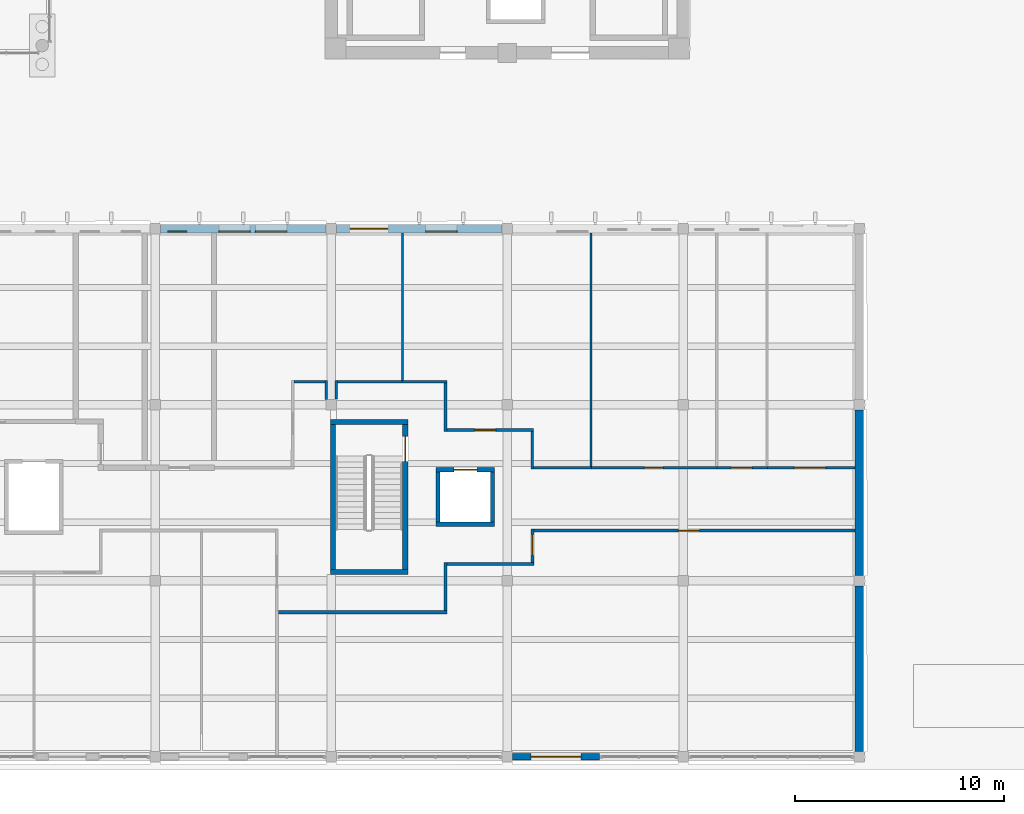
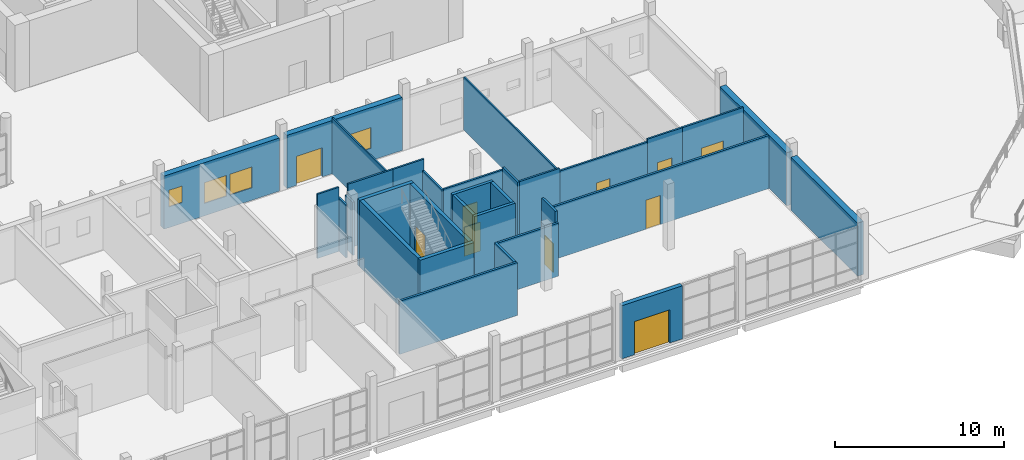
# One storey, part 55 of 110: 32 walls, 10 doors, 4 windows, 14 openings.
"""IFC4 building model written with IfcOpenShell, lengths in metres."""

from ifc_helpers import new_model, si_unit, direction, frame, frame_2d, origin, place, context, subcontext, project, spatial, rectangle, extrude, material, layer, layer_set, type_object, element, fill, save


model = new_model("IFC4")

# Units and contexts
model_context = context("Model", 3, precision=1e-05, world=origin(), true_north=direction((0.0, 1.0)))
body_context = subcontext(model_context, "Body", "Model", "MODEL_VIEW")
ifc_project = project(units=[si_unit("LENGTHUNIT", "METRE"), si_unit("AREAUNIT", "SQUARE_METRE"), si_unit("VOLUMEUNIT", "CUBIC_METRE"), si_unit("PLANEANGLEUNIT", "RADIAN"), si_unit("MASSUNIT", "GRAM", prefix="KILO")], contexts=[model_context])

# Site, building, storey
site_placement = place(None, origin())
site = spatial("IfcSite", under=ifc_project, at=site_placement, CompositionType="ELEMENT")
building_placement = place(site_placement, origin())
building = spatial("IfcBuilding", under=site, at=building_placement, Name="Larchfold Concert Hall", CompositionType="ELEMENT")
storey_placement = place(building_placement, origin())
storey = spatial("IfcBuildingStorey", under=building, at=storey_placement, Name="L00", CompositionType="ELEMENT", Elevation=0.0)

# Walls
ifc_material_1 = material(Name="Plasterboard partition on steel studs", Category="steel")
ifc_layer_1 = layer(ifc_material_1, 0.125)
ifc_layer_set_1 = layer_set([ifc_layer_1], Name="Plasterboard partition on steel studs")
wall_type_1 = type_object("IfcWallType", Name="Corridor partition 125 EI 60", PredefinedType="PARTITIONING", material=ifc_layer_set_1)
wall_1_placement = place(storey_placement, frame((37.580078125, 18.4990234375, 0.0), z_axis=(0.0, 0.0, 1.0), x_axis=(1.0, 0.0, 0.0)))
element("IfcWall", 1, at=wall_1_placement, inside=storey, type_object=wall_type_1, Name="Partition IW0139", PredefinedType="PARTITIONING", context=body_context, shape_type="SweptSolid", body=[
    extrude(rectangle(XDim=2.13134765625, YDim=0.125, at=frame_2d((1.065673828125, 0.0))), origin(), (0.0, 0.0, 1.0), 4.639892578125),
])
wall_2_placement = place(storey_placement, frame((39.64892578125, 18.4365234375, 0.0), z_axis=(0.0, 0.0, 1.0), x_axis=(0.0, -1.0, 0.0)))
element("IfcWall", 2, at=wall_2_placement, inside=storey, type_object=wall_type_1, Name="Partition IW0140", PredefinedType="PARTITIONING", context=body_context, shape_type="SweptSolid", body=[
    extrude(rectangle(XDim=2.300048828125, YDim=0.125, at=frame_2d((1.14990234375, 0.0))), origin(), (0.0, 0.0, 1.0), 3.840087890625),
])

# Wall, opening, door
wall_3_placement = place(storey_placement, frame((39.71142578125, 16.198974609375, 0.0), z_axis=(0.0, 0.0, 1.0), x_axis=(1.0, 0.0, 0.0)))
wall_3 = element("IfcWall", 3, at=wall_3_placement, inside=storey, type_object=wall_type_1, Name="Partition IW0141", PredefinedType="PARTITIONING", context=body_context, shape_type="SweptSolid", body=[
    extrude(rectangle(XDim=4.150146484375, YDim=0.125, at=frame_2d((2.0751953125, 0.0))), origin(), (0.0, 0.0, 1.0), 3.840087890625),
])
opening_1_placement = place(wall_3_placement, frame((1.3291015625, 0.0, 0.0)))
opening_1 = element("IfcOpeningElement", 4, at=opening_1_placement, cuts=wall_3, Name="Opening D-L00-144", PredefinedType="OPENING", context=body_context, shape_type="SweptSolid", body=[
    extrude(rectangle(XDim=1.0, YDim=2.10009765625, at=frame_2d((0.5, 1.050048828125))), frame((0.0, 0.072509765625, 0.0), z_axis=(0.0, -1.0, 0.0), x_axis=(1.0, 0.0, 0.0)), (0.0, 0.0, 1.0), 0.14501953125),
])
ifc_material_2 = material(Name="Timber door leaf", Category="wood")
door_type_1 = type_object("IfcDoorType", Name="Room door 1000 x 2100 FD30S", OperationType="SINGLE_SWING_LEFT", PredefinedType="DOOR", material=ifc_material_2)
door_1_placement = place(opening_1_placement, origin())
door_1 = element("IfcDoor", 5, at=door_1_placement, inside=storey, type_object=door_type_1, Name="Door D-L00-144", OperationType="SINGLE_SWING_LEFT", OverallHeight=2.10009765625, OverallWidth=1.0, PredefinedType="DOOR", context=body_context, shape_type="SweptSolid", body=[
    extrude(rectangle(XDim=1.0, YDim=2.10009765625, at=frame_2d((0.5, 1.050048828125))), frame((0.0, 0.02490234375, 0.0), z_axis=(0.0, -1.0, 0.0), x_axis=(1.0, 0.0, 0.0)), (0.0, 0.0, 1.0), 0.050048828125),
])
fill(opening_1, door_1)

# Walls
wall_4_placement = place(storey_placement, frame((43.799072265625, 16.136474609375, 0.0), z_axis=(0.0, 0.0, 1.0), x_axis=(0.000542519926, -0.999999852836, 0.0)))
element("IfcWall", 6, at=wall_4_placement, inside=storey, type_object=wall_type_1, Name="Partition IW0142", PredefinedType="PARTITIONING", context=body_context, shape_type="SweptSolid", body=[
    extrude(rectangle(XDim=1.800048828125, YDim=0.125, at=frame_2d((0.89990234375, 0.0))), origin(), (0.0, 0.0, 1.0), 4.0400390625),
])
wall_5_placement = place(storey_placement, frame((43.862548828125, 14.39892578125, 0.0), z_axis=(0.0, 0.0, 1.0), x_axis=(1.0, 0.0, 0.0)))
element("IfcWall", 7, at=wall_5_placement, inside=storey, type_object=wall_type_1, Name="Partition IW0143", PredefinedType="PARTITIONING", context=body_context, shape_type="SweptSolid", body=[
    extrude(rectangle(XDim=2.757568359375, YDim=0.125, at=frame_2d((1.37890625, 0.0))), origin(), (0.0, 0.0, 1.0), 4.0400390625),
])

# Wall, opening, door
wall_6_placement = place(storey_placement, frame((46.6201171875, 14.39892578125, 0.0), z_axis=(0.0, 0.0, 1.0), x_axis=(1.0, 0.0, 0.0)))
wall_6 = element("IfcWall", 8, at=wall_6_placement, inside=storey, type_object=wall_type_1, Name="Partition IW0144", PredefinedType="PARTITIONING", context=body_context, shape_type="SweptSolid", body=[
    extrude(rectangle(XDim=6.0, YDim=0.125, at=frame_2d((3.0, 0.0))), origin(), (0.0, 0.0, 1.0), 3.840087890625),
])
opening_2_placement = place(wall_6_placement, frame((2.5205078125, 0.0, 0.0)))
opening_2 = element("IfcOpeningElement", 9, at=opening_2_placement, cuts=wall_6, Name="Opening D-L00-145", PredefinedType="OPENING", context=body_context, shape_type="SweptSolid", body=[
    extrude(rectangle(XDim=0.89990234375, YDim=2.10009765625, at=frame_2d((0.449951171875, 1.050048828125))), frame((0.0, 0.072509765625, 0.0), z_axis=(0.0, -1.0, 0.0), x_axis=(1.0, 0.0, 0.0)), (0.0, 0.0, 1.0), 0.14501953125),
])
ifc_material_3 = material(Name="Timber door leaf", Category="wood")
door_type_2 = type_object("IfcDoorType", Name="Public toilet door 900 x 2100 FD30S", OperationType="SINGLE_SWING_LEFT", PredefinedType="DOOR", material=ifc_material_3)
door_2_placement = place(opening_2_placement, origin())
door_2 = element("IfcDoor", 10, at=door_2_placement, inside=storey, type_object=door_type_2, Name="Door D-L00-145", OperationType="SINGLE_SWING_RIGHT", OverallHeight=2.10009765625, OverallWidth=0.89990234375, PredefinedType="DOOR", context=body_context, shape_type="SweptSolid", body=[
    extrude(rectangle(XDim=0.89990234375, YDim=2.10009765625, at=frame_2d((0.449951171875, 1.050048828125))), frame((0.0, 0.02490234375, 0.0), z_axis=(0.0, -1.0, 0.0), x_axis=(1.0, 0.0, 0.0)), (0.0, 0.0, 1.0), 0.050048828125),
])
fill(opening_2, door_2)

wall_7_placement = place(storey_placement, frame((52.6201171875, 14.39892578125, 0.0), z_axis=(0.0, 0.0, 1.0), x_axis=(0.999999917209, 0.000406917565, 0.0)))
wall_7 = element("IfcWall", 11, at=wall_7_placement, inside=storey, type_object=wall_type_1, Name="Partition IW0145", PredefinedType="PARTITIONING", context=body_context, shape_type="SweptSolid", body=[
    extrude(rectangle(XDim=2.39990234375, YDim=0.125, at=frame_2d((1.199951171875, 0.0))), origin(), (0.0, 0.0, 1.0), 4.0400390625),
])
opening_3_placement = place(wall_7_placement, frame((0.670166015625, 0.0, 0.0)))
opening_3 = element("IfcOpeningElement", 12, at=opening_3_placement, cuts=wall_7, Name="Opening D-L00-146", PredefinedType="OPENING", context=body_context, shape_type="SweptSolid", body=[
    extrude(rectangle(XDim=1.0, YDim=2.10009765625, at=frame_2d((0.5, 1.050048828125))), frame((0.0, 0.072509765625, 0.0), z_axis=(0.0, -1.0, 0.0), x_axis=(1.0, 0.0, 0.0)), (0.0, 0.0, 1.0), 0.14501953125),
])
ifc_material_4 = material(Name="Timber door leaf", Category="wood")
door_type_3 = type_object("IfcDoorType", Name="Accessible WC door 1000 x 2100 FD30S", OperationType="SINGLE_SWING_LEFT", PredefinedType="DOOR", material=ifc_material_4)
door_3_placement = place(opening_3_placement, origin())
door_3 = element("IfcDoor", 13, at=door_3_placement, inside=storey, type_object=door_type_3, Name="Door D-L00-146", OperationType="SINGLE_SWING_LEFT", OverallHeight=2.10009765625, OverallWidth=1.0, PredefinedType="DOOR", context=body_context, shape_type="SweptSolid", body=[
    extrude(rectangle(XDim=1.0, YDim=2.10009765625, at=frame_2d((0.5, 1.050048828125))), frame((0.0, 0.02490234375, 0.0), z_axis=(0.0, -1.0, 0.0), x_axis=(1.0, 0.0, 0.0)), (0.0, 0.0, 1.0), 0.050048828125),
])
fill(opening_3, door_3)

# Walls
wall_8_placement = place(storey_placement, frame((32.41357421875, 18.4990234375, 0.0), z_axis=(0.0, 0.0, 1.0), x_axis=(1.0, 0.0, 0.0)))
element("IfcWall", 14, at=wall_8_placement, inside=storey, type_object=wall_type_1, Name="Partition IW0151", PredefinedType="PARTITIONING", context=body_context, shape_type="SweptSolid", body=[
    extrude(rectangle(XDim=1.48388671875, YDim=0.125, at=frame_2d((0.741943359375, 0.0))), origin(), (0.0, 0.0, 1.0), 4.639892578125),
])
wall_9_placement = place(storey_placement, frame((33.9599609375, 18.5615234375, 0.0), z_axis=(0.0, 0.0, 1.0), x_axis=(0.0, -1.0, 0.0)))
element("IfcWall", 15, at=wall_9_placement, inside=storey, type_object=wall_type_1, Name="Partition IW0152", PredefinedType="PARTITIONING", context=body_context, shape_type="SweptSolid", body=[
    extrude(rectangle(XDim=0.91162109375, YDim=0.125, at=frame_2d((0.455810546875, 0.0))), origin(), (0.0, 0.0, 1.0), 3.840087890625),
])
wall_10_placement = place(storey_placement, frame((34.43798828125, 17.669921875, 0.0), z_axis=(0.0, 0.0, 1.0), x_axis=(0.002464395583, 0.999996963373, 0.0)))
element("IfcWall", 16, at=wall_10_placement, inside=storey, type_object=wall_type_1, Name="Partition IW0153", PredefinedType="PARTITIONING", context=body_context, shape_type="SweptSolid", body=[
    extrude(rectangle(XDim=0.8916015625, YDim=0.125, at=frame_2d((0.44580078125, 0.0))), origin(), (0.0, 0.0, 1.0), 3.840087890625),
])
wall_11_placement = place(storey_placement, frame((34.50244140625, 18.4990234375, 0.0), z_axis=(0.0, 0.0, 1.0), x_axis=(1.0, 0.0, 0.0)))
element("IfcWall", 17, at=wall_11_placement, inside=storey, type_object=wall_type_1, Name="Partition IW0154", PredefinedType="PARTITIONING", context=body_context, shape_type="SweptSolid", body=[
    extrude(rectangle(XDim=3.07763671875, YDim=0.125, at=frame_2d((1.538818359375, 0.0))), origin(), (0.0, 0.0, 1.0), 4.639892578125),
])

# Wall, opening, door
wall_12_placement = place(storey_placement, frame((55.02001953125, 14.39990234375, 0.0), z_axis=(0.0, 0.0, 1.0), x_axis=(1.0, 0.0, 0.0)))
wall_12 = element("IfcWall", 18, at=wall_12_placement, inside=storey, type_object=wall_type_1, Name="Partition IW0155", PredefinedType="PARTITIONING", context=body_context, shape_type="SweptSolid", body=[
    extrude(rectangle(XDim=4.179931640625, YDim=0.125, at=frame_2d((2.08984375, 0.0))), origin(), (0.0, 0.0, 1.0), 4.0400390625),
])
opening_4_placement = place(wall_12_placement, frame((1.280029296875, 0.0, 0.0)))
opening_4 = element("IfcOpeningElement", 19, at=opening_4_placement, cuts=wall_12, Name="Opening D-L00-149", PredefinedType="OPENING", context=body_context, shape_type="SweptSolid", body=[
    extrude(rectangle(XDim=1.5, YDim=2.10009765625, at=frame_2d((0.75, 1.050048828125))), frame((0.0, 0.072509765625, 0.0), z_axis=(0.0, -1.0, 0.0), x_axis=(1.0, 0.0, 0.0)), (0.0, 0.0, 1.0), 0.14501953125),
])
ifc_material_5 = material(Name="Timber door leaf", Category="wood")
door_type_4 = type_object("IfcDoorType", Name="Cafe, shop and cloakroom door pair 1500 x 2100 FD30S", OperationType="SINGLE_SWING_LEFT", PredefinedType="DOOR", material=ifc_material_5)
door_4_placement = place(opening_4_placement, origin())
door_4 = element("IfcDoor", 20, at=door_4_placement, inside=storey, type_object=door_type_4, Name="Door D-L00-149", OperationType="DOUBLE_DOOR_SINGLE_SWING", OverallHeight=2.10009765625, OverallWidth=1.5, PredefinedType="DOOR", context=body_context, shape_type="SweptSolid", body=[
    extrude(rectangle(XDim=1.5, YDim=2.10009765625, at=frame_2d((0.75, 1.050048828125))), frame((0.0, 0.02490234375, 0.0), z_axis=(0.0, -1.0, 0.0), x_axis=(1.0, 0.0, 0.0)), (0.0, 0.0, 1.0), 0.050048828125),
])
fill(opening_4, door_4)

ifc_material_6 = material(Name="Larch cladding on mineral wool and CLT", Category="wood")
ifc_layer_2 = layer(ifc_material_6, 0.300048828125)
ifc_layer_set_2 = layer_set([ifc_layer_2], Name="Larch cladding on mineral wool and CLT")
wall_type_2 = type_object("IfcWallType", Name="Entrance bay wall 300", PredefinedType="SOLIDWALL", material=ifc_layer_set_2)
wall_13_placement = place(storey_placement, frame((42.85009765625, 0.60009765625, 0.0), z_axis=(0.0, 0.0, 1.0), x_axis=(1.0, 0.0, 0.0)))
wall_13 = element("IfcWall", 21, at=wall_13_placement, inside=storey, type_object=wall_type_2, Name="Infill wall W5186", PredefinedType="SOLIDWALL", context=body_context, shape_type="SweptSolid", body=[
    extrude(rectangle(XDim=4.14990234375, YDim=0.300048828125, at=frame_2d((2.074951171875, 0.0))), origin(), (0.0, 0.0, 1.0), 3.840087890625),
])
opening_5_placement = place(wall_13_placement, frame((0.875, 0.0, 0.0)))
opening_5 = element("IfcOpeningElement", 22, at=opening_5_placement, cuts=wall_13, Name="Opening D-L00-230", PredefinedType="OPENING", context=body_context, shape_type="SweptSolid", body=[
    extrude(rectangle(XDim=2.39990234375, YDim=2.39990234375, at=frame_2d((1.199951171875, 1.199951171875))), frame((0.0, 0.16015625, 0.0), z_axis=(0.0, -1.0, 0.0), x_axis=(1.0, 0.0, 0.0)), (0.0, 0.0, 1.0), 0.320068359375),
])
ifc_material_7 = material(Name="Anodised graphite aluminium door leaf", Category="aluminium")
door_type_5 = type_object("IfcDoorType", Name="Entrance door double 2400x2400", OperationType="DOUBLE_DOOR_SINGLE_SWING", PredefinedType="DOOR", material=ifc_material_7)
door_5_placement = place(opening_5_placement, origin())
door_5 = element("IfcDoor", 23, at=door_5_placement, inside=storey, type_object=door_type_5, Name="Door D-L00-230", OperationType="DOUBLE_DOOR_SINGLE_SWING", OverallHeight=2.39990234375, OverallWidth=2.39990234375, PredefinedType="DOOR", context=body_context, shape_type="SweptSolid", body=[
    extrude(rectangle(XDim=2.39990234375, YDim=2.39990234375, at=frame_2d((1.199951171875, 1.199951171875))), frame((0.0, 0.02490234375, 0.0), z_axis=(0.0, -1.0, 0.0), x_axis=(1.0, 0.0, 0.0)), (0.0, 0.0, 1.0), 0.050048828125),
])
fill(opening_5, door_5)

# Walls
ifc_material_8 = material(Name="Larch cladding on mineral wool and CLT", Category="wood")
ifc_layer_3 = layer(ifc_material_8, 0.39990234375)
ifc_layer_set_3 = layer_set([ifc_layer_3], Name="Larch cladding on mineral wool and CLT")
wall_type_3 = type_object("IfcWallType", Name="Larch clad infill wall 400", PredefinedType="SOLIDWALL", material=ifc_layer_set_3)
for number, where, z_axis, x_axis, name in (
    (24, (59.39990234375, 0.85009765625, 0.0), (0.0, 0.0, 1.0), (0.0, 1.0, 0.0), "Infill wall W5001"),
    (25, (59.39990234375, 9.25, 0.0), (0.0, 0.0, 1.0), (0.0, 1.0, 0.0), "Infill wall W5002"),
):
    element("IfcWall", number, at=place(storey_placement, frame(where, z_axis=z_axis, x_axis=x_axis)), inside=storey, type_object=wall_type_3, Name=name, PredefinedType="SOLIDWALL", context=body_context, shape_type="SweptSolid", body=[
        extrude(rectangle(XDim=7.89990234375, YDim=0.39990234375, at=frame_2d((3.949951171875, 0.0))), origin(), (0.0, 0.0, 1.0), 3.840087890625),
    ])

# Wall, openings, door, window
wall_14_placement = place(storey_placement, frame((42.35009765625, 25.800048828125, 0.0), z_axis=(0.0, 0.0, 1.0), x_axis=(-1.0, 0.0, 0.0)))
wall_14 = element("IfcWall", 26, at=wall_14_placement, inside=storey, type_object=wall_type_3, Name="Infill wall W5006", PredefinedType="SOLIDWALL", context=body_context, shape_type="SweptSolid", body=[
    extrude(rectangle(XDim=7.900146484375, YDim=0.39990234375, at=frame_2d((3.9501953125, 0.0))), origin(), (0.0, 0.0, 1.0), 3.840087890625),
])
opening_6_placement = place(wall_14_placement, frame((7.250244140625, 0.0, 0.0), z_axis=(0.0, 0.0, 1.0), x_axis=(-1.0, 0.0, 0.0)))
opening_6 = element("IfcOpeningElement", 27, at=opening_6_placement, cuts=wall_14, Name="Opening D-L00-231", PredefinedType="OPENING", context=body_context, shape_type="SweptSolid", body=[
    extrude(rectangle(XDim=1.800048828125, YDim=2.10009765625, at=frame_2d((0.89990234375, 1.050048828125))), frame((0.0, 0.2099609375, 0.0), z_axis=(0.0, -1.0, 0.0), x_axis=(1.0, 0.0, 0.0)), (0.0, 0.0, 1.0), 0.419921875),
])
opening_7_placement = place(wall_14_placement, frame((2.150146484375, 0.0, 0.89990234375)))
opening_7 = element("IfcOpeningElement", 28, at=opening_7_placement, cuts=wall_14, Name="Opening WN-L00-008", PredefinedType="OPENING", context=body_context, shape_type="SweptSolid", body=[
    extrude(rectangle(XDim=1.5, YDim=1.5, at=frame_2d((0.75, 0.75))), frame((0.0, 0.2099609375, 0.0), z_axis=(0.0, -1.0, 0.0), x_axis=(1.0, 0.0, 0.0)), (0.0, 0.0, 1.0), 0.419921875),
])
ifc_material_9 = material(Name="Anodised graphite aluminium door leaf", Category="aluminium")
door_type_6 = type_object("IfcDoorType", Name="Exit door double 1800x2100", OperationType="DOUBLE_DOOR_SINGLE_SWING", PredefinedType="DOOR", material=ifc_material_9)
door_6_placement = place(opening_6_placement, origin())
door_6 = element("IfcDoor", 29, at=door_6_placement, inside=storey, type_object=door_type_6, Name="Door D-L00-231", OperationType="DOUBLE_DOOR_SINGLE_SWING", OverallHeight=2.10009765625, OverallWidth=1.800048828125, PredefinedType="DOOR", context=body_context, shape_type="SweptSolid", body=[
    extrude(rectangle(XDim=1.800048828125, YDim=2.10009765625, at=frame_2d((0.89990234375, 1.050048828125))), frame((0.0, 0.02490234375, 0.0), z_axis=(0.0, -1.0, 0.0), x_axis=(1.0, 0.0, 0.0)), (0.0, 0.0, 1.0), 0.050048828125),
])
fill(opening_6, door_6)
ifc_material_10 = material(Name="Anodised graphite aluminium frame with glass", Category="aluminium")
window_type_1 = type_object("IfcWindowType", Name="Studio window 1500x1500", PartitioningType="DOUBLE_PANEL_VERTICAL", PredefinedType="WINDOW", material=ifc_material_10)
window_1_placement = place(opening_7_placement, origin())
window_1 = element("IfcWindow", 30, at=window_1_placement, inside=storey, type_object=window_type_1, Name="Window WN-L00-008", OverallHeight=1.5, OverallWidth=1.5, PartitioningType="DOUBLE_PANEL_VERTICAL", PredefinedType="WINDOW", context=body_context, shape_type="SweptSolid", body=[
    extrude(rectangle(XDim=1.5, YDim=1.5, at=frame_2d((0.75, 0.75))), frame((0.0, 0.150146484375, 0.0), z_axis=(0.0, -1.0, 0.0), x_axis=(1.0, 0.0, 0.0)), (0.0, 0.0, 1.0), 0.06005859375),
])
fill(opening_7, window_1)

# Wall, openings, windows
wall_15_placement = place(storey_placement, frame((33.949951171875, 25.800048828125, 0.0), z_axis=(0.0, 0.0, 1.0), x_axis=(-1.0, 0.0, 0.0)))
wall_15 = element("IfcWall", 31, at=wall_15_placement, inside=storey, type_object=wall_type_3, Name="Infill wall W5007", PredefinedType="SOLIDWALL", context=body_context, shape_type="SweptSolid", body=[
    extrude(rectangle(XDim=7.89990234375, YDim=0.39990234375, at=frame_2d((3.949951171875, 0.0))), origin(), (0.0, 0.0, 1.0), 3.840087890625),
])
opening_8_placement = place(wall_15_placement, frame((6.64990234375, 0.0, 1.5)))
opening_8 = element("IfcOpeningElement", 32, at=opening_8_placement, cuts=wall_15, Name="Opening WN-L00-009", PredefinedType="OPENING", context=body_context, shape_type="SweptSolid", body=[
    extrude(rectangle(XDim=0.89990234375, YDim=1.199951171875, at=frame_2d((0.449951171875, 0.60009765625))), frame((0.0, 0.2099609375, 0.0), z_axis=(0.0, -1.0, 0.0), x_axis=(1.0, 0.0, 0.0)), (0.0, 0.0, 1.0), 0.419921875),
])
opening_9_placement = place(wall_15_placement, frame((3.6201171875, 0.0, 0.89990234375)))
opening_9 = element("IfcOpeningElement", 33, at=opening_9_placement, cuts=wall_15, Name="Opening WN-L00-010", PredefinedType="OPENING", context=body_context, shape_type="SweptSolid", body=[
    extrude(rectangle(XDim=1.5, YDim=1.5, at=frame_2d((0.75, 0.75))), frame((0.0, 0.2099609375, 0.0), z_axis=(0.0, -1.0, 0.0), x_axis=(1.0, 0.0, 0.0)), (0.0, 0.0, 1.0), 0.419921875),
])
opening_10_placement = place(wall_15_placement, frame((1.8701171875, 0.0, 0.89990234375)))
opening_10 = element("IfcOpeningElement", 34, at=opening_10_placement, cuts=wall_15, Name="Opening WN-L00-011", PredefinedType="OPENING", context=body_context, shape_type="SweptSolid", body=[
    extrude(rectangle(XDim=1.5, YDim=1.5, at=frame_2d((0.75, 0.75))), frame((0.0, 0.2099609375, 0.0), z_axis=(0.0, -1.0, 0.0), x_axis=(1.0, 0.0, 0.0)), (0.0, 0.0, 1.0), 0.419921875),
])
ifc_material_11 = material(Name="Anodised graphite aluminium frame with laminated acoustic glass", Category="aluminium")
window_type_2 = type_object("IfcWindowType", Name="Recording studio window 900x1200", PartitioningType="SINGLE_PANEL", PredefinedType="WINDOW", material=ifc_material_11)
window_2_placement = place(opening_8_placement, origin())
window_2 = element("IfcWindow", 35, at=window_2_placement, inside=storey, type_object=window_type_2, Name="Window WN-L00-009", OverallHeight=1.199951171875, OverallWidth=0.89990234375, PartitioningType="SINGLE_PANEL", PredefinedType="WINDOW", context=body_context, shape_type="SweptSolid", body=[
    extrude(rectangle(XDim=0.89990234375, YDim=1.199951171875, at=frame_2d((0.449951171875, 0.60009765625))), frame((0.0, 0.150146484375, 0.0), z_axis=(0.0, -1.0, 0.0), x_axis=(1.0, 0.0, 0.0)), (0.0, 0.0, 1.0), 0.06005859375),
])
fill(opening_8, window_2)
window_3_placement = place(opening_9_placement, origin())
window_3 = element("IfcWindow", 36, at=window_3_placement, inside=storey, type_object=window_type_1, Name="Window WN-L00-010", OverallHeight=1.5, OverallWidth=1.5, PartitioningType="DOUBLE_PANEL_VERTICAL", PredefinedType="WINDOW", context=body_context, shape_type="SweptSolid", body=[
    extrude(rectangle(XDim=1.5, YDim=1.5, at=frame_2d((0.75, 0.75))), frame((0.0, 0.150146484375, 0.0), z_axis=(0.0, -1.0, 0.0), x_axis=(1.0, 0.0, 0.0)), (0.0, 0.0, 1.0), 0.06005859375),
])
fill(opening_9, window_3)
window_4_placement = place(opening_10_placement, origin())
window_4 = element("IfcWindow", 37, at=window_4_placement, inside=storey, type_object=window_type_1, Name="Window WN-L00-011", OverallHeight=1.5, OverallWidth=1.5, PartitioningType="DOUBLE_PANEL_VERTICAL", PredefinedType="WINDOW", context=body_context, shape_type="SweptSolid", body=[
    extrude(rectangle(XDim=1.5, YDim=1.5, at=frame_2d((0.75, 0.75))), frame((0.0, 0.150146484375, 0.0), z_axis=(0.0, -1.0, 0.0), x_axis=(1.0, 0.0, 0.0)), (0.0, 0.0, 1.0), 0.06005859375),
])
fill(opening_10, window_4)

# Walls
ifc_material_12 = material(Name="Plasterboard partition on steel studs", Category="steel")
ifc_layer_4 = layer(ifc_material_12, 0.14990234375)
ifc_layer_set_4 = layer_set([ifc_layer_4], Name="Plasterboard partition on steel studs")
wall_type_4 = type_object("IfcWallType", Name="Shaft and plant partition 150 EI 120", PredefinedType="PARTITIONING", material=ifc_layer_set_4)
wall_16_placement = place(storey_placement, frame((31.675048828125, 7.5, 0.0), z_axis=(0.0, 0.0, 1.0), x_axis=(1.0, 0.0, 0.0)))
element("IfcWall", 38, at=wall_16_placement, inside=storey, type_object=wall_type_4, Name="Partition IW0118", PredefinedType="PARTITIONING", context=body_context, shape_type="SweptSolid", body=[
    extrude(rectangle(XDim=8.050048828125, YDim=0.14990234375, at=frame_2d((4.02490234375, 0.0))), origin(), (0.0, 0.0, 1.0), 3.840087890625),
])
wall_17_placement = place(storey_placement, frame((39.64990234375, 7.574951171875, 0.0), z_axis=(0.0, 0.0, 1.0), x_axis=(0.0, 1.0, 0.0)))
element("IfcWall", 39, at=wall_17_placement, inside=storey, type_object=wall_type_4, Name="Partition IW0119", PredefinedType="PARTITIONING", context=body_context, shape_type="SweptSolid", body=[
    extrude(rectangle(XDim=2.300048828125, YDim=0.14990234375, at=frame_2d((1.14990234375, 0.0))), origin(), (0.0, 0.0, 1.0), 3.840087890625),
])
wall_18_placement = place(storey_placement, frame((39.72509765625, 9.800048828125, 0.0), z_axis=(0.0, 0.0, 1.0), x_axis=(1.0, 0.0, 0.0)))
element("IfcWall", 40, at=wall_18_placement, inside=storey, type_object=wall_type_4, Name="Partition IW0120", PredefinedType="PARTITIONING", context=body_context, shape_type="SweptSolid", body=[
    extrude(rectangle(XDim=4.14990234375, YDim=0.14990234375, at=frame_2d((2.074951171875, 0.0))), origin(), (0.0, 0.0, 1.0), 3.840087890625),
])

# Wall, opening, door
wall_19_placement = place(storey_placement, frame((43.800048828125, 9.875, 0.0), z_axis=(0.0, 0.0, 1.0), x_axis=(0.0, 1.0, 0.0)))
wall_19 = element("IfcWall", 41, at=wall_19_placement, inside=storey, type_object=wall_type_4, Name="Partition IW0121", PredefinedType="PARTITIONING", context=body_context, shape_type="SweptSolid", body=[
    extrude(rectangle(XDim=1.60009765625, YDim=0.14990234375, at=frame_2d((0.800048828125, 0.0))), origin(), (0.0, 0.0, 1.0), 4.639892578125),
])
opening_11_placement = place(wall_19_placement, frame((0.3349609375, 0.0, 0.0)))
opening_11 = element("IfcOpeningElement", 42, at=opening_11_placement, cuts=wall_19, Name="Opening D-L00-137", PredefinedType="OPENING", context=body_context, shape_type="SweptSolid", body=[
    extrude(rectangle(XDim=1.0, YDim=2.10009765625, at=frame_2d((0.5, 1.050048828125))), frame((0.0, 0.0849609375, 0.0), z_axis=(0.0, -1.0, 0.0), x_axis=(1.0, 0.0, 0.0)), (0.0, 0.0, 1.0), 0.169921875),
])
ifc_material_13 = material(Name="Timber door leaf", Category="wood")
door_type_7 = type_object("IfcDoorType", Name="Store door 1000 x 2100 FD60", OperationType="SINGLE_SWING_LEFT", PredefinedType="DOOR", material=ifc_material_13)
door_7_placement = place(opening_11_placement, origin())
door_7 = element("IfcDoor", 43, at=door_7_placement, inside=storey, type_object=door_type_7, Name="Door D-L00-137", OperationType="SINGLE_SWING_LEFT", OverallHeight=2.10009765625, OverallWidth=1.0, PredefinedType="DOOR", context=body_context, shape_type="SweptSolid", body=[
    extrude(rectangle(XDim=1.0, YDim=2.10009765625, at=frame_2d((0.5, 1.050048828125))), frame((0.0, 0.02490234375, 0.0), z_axis=(0.0, -1.0, 0.0), x_axis=(1.0, 0.0, 0.0)), (0.0, 0.0, 1.0), 0.050048828125),
])
fill(opening_11, door_7)

wall_20_placement = place(storey_placement, frame((43.875, 11.39990234375, 0.0), z_axis=(0.0, 0.0, 1.0), x_axis=(1.0, 0.0, 0.0)))
wall_20 = element("IfcWall", 44, at=wall_20_placement, inside=storey, type_object=wall_type_4, Name="Partition IW0122", PredefinedType="PARTITIONING", context=body_context, shape_type="SweptSolid", body=[
    extrude(rectangle(XDim=15.324951171875, YDim=0.14990234375, at=frame_2d((7.66259765625, 0.0))), origin(), (0.0, 0.0, 1.0), 3.840087890625),
])
opening_12_placement = place(wall_20_placement, frame((6.889892578125, 0.0, 0.0)))
opening_12 = element("IfcOpeningElement", 45, at=opening_12_placement, cuts=wall_20, Name="Opening D-L00-138", PredefinedType="OPENING", context=body_context, shape_type="SweptSolid", body=[
    extrude(rectangle(XDim=1.0, YDim=2.10009765625, at=frame_2d((0.5, 1.050048828125))), frame((0.0, 0.0849609375, 0.0), z_axis=(0.0, -1.0, 0.0), x_axis=(1.0, 0.0, 0.0)), (0.0, 0.0, 1.0), 0.169921875),
])
door_8_placement = place(opening_12_placement, origin())
door_8 = element("IfcDoor", 46, at=door_8_placement, inside=storey, type_object=door_type_7, Name="Door D-L00-138", OperationType="SINGLE_SWING_RIGHT", OverallHeight=2.10009765625, OverallWidth=1.0, PredefinedType="DOOR", context=body_context, shape_type="SweptSolid", body=[
    extrude(rectangle(XDim=1.0, YDim=2.10009765625, at=frame_2d((0.5, 1.050048828125))), frame((0.0, 0.02490234375, 0.0), z_axis=(0.0, -1.0, 0.0), x_axis=(1.0, 0.0, 0.0)), (0.0, 0.0, 1.0), 0.050048828125),
])
fill(opening_12, door_8)

# Walls
ifc_material_14 = material(Name="Plasterboard partition on steel studs", Category="steel")
ifc_layer_5 = layer(ifc_material_14, 0.10009765625)
ifc_layer_set_5 = layer_set([ifc_layer_5], Name="Plasterboard partition on steel studs")
wall_type_5 = type_object("IfcWallType", Name="Stud partition 100", PredefinedType="PARTITIONING", material=ifc_layer_set_5)
wall_21_placement = place(storey_placement, frame((46.60009765625, 25.60009765625, 0.0), z_axis=(0.0, 0.0, 1.0), x_axis=(0.0, -1.0, 0.0)))
element("IfcWall", 47, at=wall_21_placement, inside=storey, type_object=wall_type_5, Name="Partition IW0160", PredefinedType="PARTITIONING", context=body_context, shape_type="SweptSolid", body=[
    extrude(rectangle(XDim=11.135009765625, YDim=0.10009765625, at=frame_2d((5.5673828125, 0.0))), origin(), (0.0, 0.0, 1.0), 3.840087890625),
])
wall_22_placement = place(storey_placement, frame((37.60009765625, 18.56494140625, 0.0), z_axis=(0.0, 0.0, 1.0), x_axis=(0.0, 1.0, 0.0)))
element("IfcWall", 48, at=wall_22_placement, inside=storey, type_object=wall_type_5, Name="Partition IW0161", PredefinedType="PARTITIONING", context=body_context, shape_type="SweptSolid", body=[
    extrude(rectangle(XDim=7.03515625, YDim=0.10009765625, at=frame_2d((3.517578125, 0.0))), origin(), (0.0, 0.0, 1.0), 4.0400390625),
])
ifc_material_15 = material(Name="Concrete C40/50", Category="concrete")
ifc_layer_6 = layer(ifc_material_15, 0.199951171875)
ifc_layer_set_6 = layer_set([ifc_layer_6], Name="Concrete C40/50")
wall_type_6 = type_object("IfcWallType", Name="Wall RC 200 lift shaft", PredefinedType="SOLIDWALL", material=ifc_layer_set_6)
wall_23_placement = place(storey_placement, frame((39.199951171875, 11.7001953125, 0.0), z_axis=(0.0, 0.0, 1.0), x_axis=(1.0, 0.0, 0.0)))
element("IfcWall", 49, at=wall_23_placement, inside=storey, type_object=wall_type_6, Name="Wall W0181", PredefinedType="SOLIDWALL", context=body_context, shape_type="SweptSolid", body=[
    extrude(rectangle(XDim=2.800048828125, YDim=0.199951171875, at=frame_2d((1.39990234375, 0.0))), origin(), (0.0, 0.0, 1.0), 4.800048828125),
])

# Wall, opening, door
wall_24_placement = place(storey_placement, frame((39.199951171875, 14.2998046875, 0.0), z_axis=(0.0, 0.0, 1.0), x_axis=(1.0, 0.0, 0.0)))
wall_24 = element("IfcWall", 50, at=wall_24_placement, inside=storey, type_object=wall_type_6, Name="Wall W0182", PredefinedType="SOLIDWALL", context=body_context, shape_type="SweptSolid", body=[
    extrude(rectangle(XDim=2.800048828125, YDim=0.199951171875, at=frame_2d((1.39990234375, 0.0))), origin(), (0.0, 0.0, 1.0), 4.800048828125),
])
opening_13_placement = place(wall_24_placement, frame((0.85009765625, 0.0, 0.0)))
opening_13 = element("IfcOpeningElement", 51, at=opening_13_placement, cuts=wall_24, Name="Opening LD-LF11", PredefinedType="OPENING", context=body_context, shape_type="SweptSolid", body=[
    extrude(rectangle(XDim=1.10009765625, YDim=2.10009765625, at=frame_2d((0.550048828125, 1.050048828125))), frame((0.0, 0.10986328125, 0.0), z_axis=(0.0, -1.0, 0.0), x_axis=(1.0, 0.0, 0.0)), (0.0, 0.0, 1.0), 0.219970703125),
])
ifc_material_16 = material(Name="Stainless steel sliding leaves", Category="steel")
door_type_8 = type_object("IfcDoorType", Name="Lift landing door sliding 1100 x 2100", OperationType="SLIDING_TO_LEFT", PredefinedType="DOOR", material=ifc_material_16)
door_9_placement = place(opening_13_placement, origin())
door_9 = element("IfcDoor", 52, at=door_9_placement, inside=storey, type_object=door_type_8, Name="Lift landing door LF11", OperationType="SLIDING_TO_LEFT", OverallHeight=2.10009765625, OverallWidth=1.10009765625, PredefinedType="DOOR", context=body_context, shape_type="SweptSolid", body=[
    extrude(rectangle(XDim=1.10009765625, YDim=2.10009765625, at=frame_2d((0.550048828125, 1.050048828125))), frame((0.0, 0.02490234375, 0.0), z_axis=(0.0, -1.0, 0.0), x_axis=(1.0, 0.0, 0.0)), (0.0, 0.0, 1.0), 0.050048828125),
])
fill(opening_13, door_9)

# Walls
for number, where, z_axis, x_axis, name in (
    (53, (39.300048828125, 11.800048828125, 0.0), (0.0, 0.0, 1.0), (0.0, 1.0, 0.0), "Wall W0183"),
    (54, (41.89990234375, 11.800048828125, 0.0), (0.0, 0.0, 1.0), (0.0, 1.0, 0.0), "Wall W0184"),
):
    element("IfcWall", number, at=place(storey_placement, frame(where, z_axis=z_axis, x_axis=x_axis)), inside=storey, type_object=wall_type_6, Name=name, PredefinedType="SOLIDWALL", context=body_context, shape_type="SweptSolid", body=[
        extrude(rectangle(XDim=2.39990234375, YDim=0.199951171875, at=frame_2d((1.199951171875, 0.0))), origin(), (0.0, 0.0, 1.0), 4.800048828125),
    ])
ifc_material_17 = material(Name="Concrete C40/50", Category="concrete")
ifc_layer_7 = layer(ifc_material_17, 0.25)
ifc_layer_set_7 = layer_set([ifc_layer_7], Name="Concrete C40/50")
wall_type_7 = type_object("IfcWallType", Name="Wall RC 250 stair core", PredefinedType="SOLIDWALL", material=ifc_layer_set_7)
for number, where, z_axis, x_axis, name in (
    (55, (34.14990234375, 9.425048828125, 0.0), (0.0, 0.0, 1.0), (1.0, 0.0, 0.0), "Wall W0117"),
    (56, (34.14990234375, 16.574951171875, 0.0), (0.0, 0.0, 1.0), (1.0, 0.0, 0.0), "Wall W0118"),
):
    element("IfcWall", number, at=place(storey_placement, frame(where, z_axis=z_axis, x_axis=x_axis)), inside=storey, type_object=wall_type_7, Name=name, PredefinedType="SOLIDWALL", context=body_context, shape_type="SweptSolid", body=[
        extrude(rectangle(XDim=3.7001953125, YDim=0.25, at=frame_2d((1.85009765625, 0.0))), origin(), (0.0, 0.0, 1.0), 4.800048828125),
    ])
wall_25_placement = place(storey_placement, frame((34.27490234375, 9.550048828125, 0.0), z_axis=(0.0, 0.0, 1.0), x_axis=(0.0, 1.0, 0.0)))
element("IfcWall", 57, at=wall_25_placement, inside=storey, type_object=wall_type_7, Name="Wall W0119", PredefinedType="SOLIDWALL", context=body_context, shape_type="SweptSolid", body=[
    extrude(rectangle(XDim=6.89990234375, YDim=0.25, at=frame_2d((3.449951171875, 0.0))), origin(), (0.0, 0.0, 1.0), 4.800048828125),
])

# Wall, opening, door
wall_26_placement = place(storey_placement, frame((37.72509765625, 9.550048828125, 0.0), z_axis=(0.0, 0.0, 1.0), x_axis=(0.0, 1.0, 0.0)))
wall_26 = element("IfcWall", 58, at=wall_26_placement, inside=storey, type_object=wall_type_7, Name="Wall W0120", PredefinedType="SOLIDWALL", context=body_context, shape_type="SweptSolid", body=[
    extrude(rectangle(XDim=6.89990234375, YDim=0.25, at=frame_2d((3.449951171875, 0.0))), origin(), (0.0, 0.0, 1.0), 4.800048828125),
])
opening_14_placement = place(wall_26_placement, frame((5.14990234375, 0.0, 0.0)))
opening_14 = element("IfcOpeningElement", 59, at=opening_14_placement, cuts=wall_26, Name="Opening D-L00-175", PredefinedType="OPENING", context=body_context, shape_type="SweptSolid", body=[
    extrude(rectangle(XDim=1.199951171875, YDim=2.10009765625, at=frame_2d((0.60009765625, 1.050048828125))), frame((0.0, 0.135009765625, 0.0), z_axis=(0.0, -1.0, 0.0), x_axis=(1.0, 0.0, 0.0)), (0.0, 0.0, 1.0), 0.27001953125),
])
ifc_material_18 = material(Name="Timber door leaf", Category="wood")
door_type_9 = type_object("IfcDoorType", Name="Stair enclosure door pair 1200 x 2100 FD60", OperationType="SINGLE_SWING_LEFT", PredefinedType="DOOR", material=ifc_material_18)
door_10_placement = place(opening_14_placement, origin())
door_10 = element("IfcDoor", 60, at=door_10_placement, inside=storey, type_object=door_type_9, Name="Door D-L00-175", OperationType="DOUBLE_DOOR_SINGLE_SWING", OverallHeight=2.10009765625, OverallWidth=1.199951171875, PredefinedType="DOOR", context=body_context, shape_type="SweptSolid", body=[
    extrude(rectangle(XDim=1.199951171875, YDim=2.10009765625, at=frame_2d((0.60009765625, 1.050048828125))), frame((0.0, 0.02490234375, 0.0), z_axis=(0.0, -1.0, 0.0), x_axis=(1.0, 0.0, 0.0)), (0.0, 0.0, 1.0), 0.050048828125),
])
fill(opening_14, door_10)

save(model, "model.ifc")
